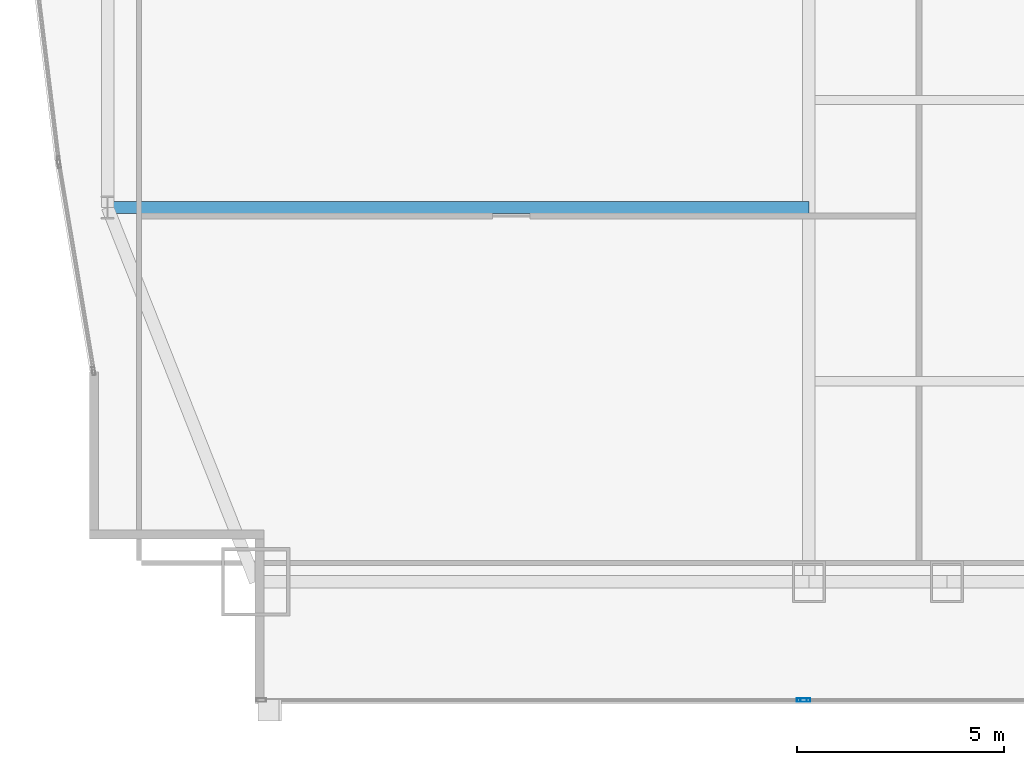
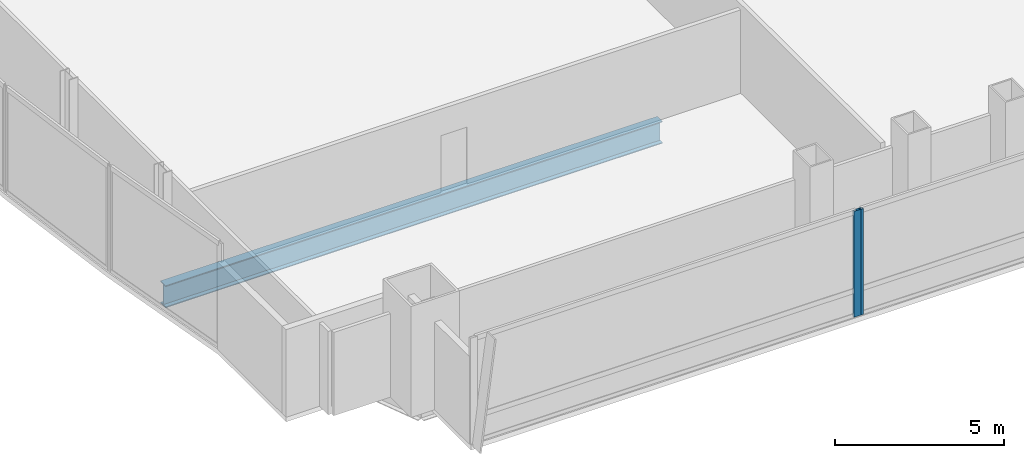
# One storey, part 7 of 32: 2 members, 1 beam, 2 elements without a shape of their own.
"""IFC4 building model written with IfcOpenShell, lengths in metres."""

from ifc_helpers import new_model, si_unit, direction, frame, origin, origin_2d, place, context, subcontext, project, spatial, hollow_rectangle, i_section, extrude, material, material_profile, profile_set, type_object, element, aggregate, save


model = new_model("IFC4")

# Units and contexts
model_context = context("Model", 3, precision=1e-05, world=origin(), true_north=direction((0.0, 1.0)))
body_context = subcontext(model_context, "Body", "Model", "MODEL_VIEW")
ifc_project = project(units=[si_unit("LENGTHUNIT", "METRE"), si_unit("AREAUNIT", "SQUARE_METRE"), si_unit("VOLUMEUNIT", "CUBIC_METRE"), si_unit("PLANEANGLEUNIT", "RADIAN"), si_unit("MASSUNIT", "GRAM", prefix="KILO")], contexts=[model_context])

# Site, building, storey
site_placement = place(None, origin())
site = spatial("IfcSite", under=ifc_project, at=site_placement, CompositionType="ELEMENT")
building_placement = place(site_placement, origin())
building = spatial("IfcBuilding", under=site, at=building_placement, Name="Khoronbel Lancet Exchange", CompositionType="ELEMENT")
storey_placement = place(building_placement, frame((0.0, 0.0, 41.800048828125)))
storey = spatial("IfcBuildingStorey", under=building, at=storey_placement, Name="L09", CompositionType="ELEMENT", Elevation=41.800048828125)

# Beam
ifc_material_1 = material(Name="Steel S355", Category="steel")
ifc_material_profile_1 = material_profile(ifc_material_1, i_section(OverallWidth=0.300048828125, OverallDepth=0.800048828125, WebThickness=0.017578125, FlangeThickness=0.032958984375, at=origin_2d()), Name="HEB 800")
ifc_profile_set_1 = profile_set([ifc_material_profile_1], Name="Steel S355")
beam_type = type_object("IfcBeamType", Name="BM-BG2", PredefinedType="BEAM", material=ifc_profile_set_1)
beam_placement = place(storey_placement, frame((1.27001953125, 19.199951171875, -0.580078125), z_axis=(1.0, 0.0, 0.0), x_axis=(0.0, 1.0, 0.0)))
element("IfcBeam", 1, at=beam_placement, inside=storey, type_object=beam_type, Name="Level L09 west lens tie girder LG1W", PredefinedType="BEAM", context=body_context, shape_type="SweptSolid", body=[
    extrude(i_section(OverallWidth=0.300048828125, OverallDepth=0.800048828125, WebThickness=0.017578125, FlangeThickness=0.032958984375, at=origin_2d()), origin(), (0.0, 0.0, 1.0), 16.955078125),
])

# Curtain wall, member
ifc_material_2 = material(Name="Low-E Solar Control Insulating Glass", Category="glass")
curtain_wall_type = type_object("IfcCurtainWallType", Name="CW-1", PredefinedType="NOTDEFINED", material=ifc_material_2)
curtain_wall_1_placement = place(storey_placement, origin())
curtain_wall_1 = element("IfcCurtainWall", 2, at=curtain_wall_1_placement, inside=storey, type_object=curtain_wall_type, Name="Unitised curtain wall CW-L09-SWV", PredefinedType="NOTDEFINED")
ifc_material_3 = material(Name="Bronze-Anodised Aluminium 6063-T6", Category="aluminium")
ifc_material_profile_2 = material_profile(ifc_material_3, hollow_rectangle(XDim=0.0849609375, YDim=0.239990234375, WallThickness=0.006103515625, at=origin_2d()), Name="ALU MULLION 85x240")
ifc_profile_set_2 = profile_set([ifc_material_profile_2], Name="Bronze-Anodised Aluminium 6063-T6")
member_type = type_object("IfcMemberType", Name="MEM-CWM1", PredefinedType="MULLION", material=ifc_profile_set_2)
member_1_placement = place(storey_placement, frame((18.0576171875, 7.2900390625, 0.0), z_axis=(0.0, 0.0, 1.0), x_axis=(0.0, 1.0, 0.0)))
member_1 = element("IfcMember", 3, at=member_1_placement, type_object=member_type, Name="CW1 mullion 2", PredefinedType="MULLION", context=body_context, shape_type="SweptSolid", body=[
    extrude(hollow_rectangle(XDim=0.0849609375, YDim=0.239990234375, WallThickness=0.006103515625, at=origin_2d()), origin(), (0.0, 0.0, 1.0), 3.820068359375),
])
aggregate(curtain_wall_1, [member_1])

curtain_wall_2_placement = place(storey_placement, origin())
curtain_wall_2 = element("IfcCurtainWall", 4, at=curtain_wall_2_placement, inside=storey, type_object=curtain_wall_type, Name="Unitised curtain wall CW-L09-SWB", PredefinedType="NOTDEFINED")
member_2_placement = place(storey_placement, frame((18.142578125, 7.2900390625, 0.0), z_axis=(0.0, 0.0, 1.0), x_axis=(0.0, 1.0, 0.0)))
member_2 = element("IfcMember", 5, at=member_2_placement, type_object=member_type, Name="CW1 mullion 1", PredefinedType="MULLION", context=body_context, shape_type="SweptSolid", body=[
    extrude(hollow_rectangle(XDim=0.0849609375, YDim=0.239990234375, WallThickness=0.006103515625, at=origin_2d()), origin(), (0.0, 0.0, 1.0), 3.820068359375),
])
aggregate(curtain_wall_2, [member_2])

save(model, "model.ifc")
